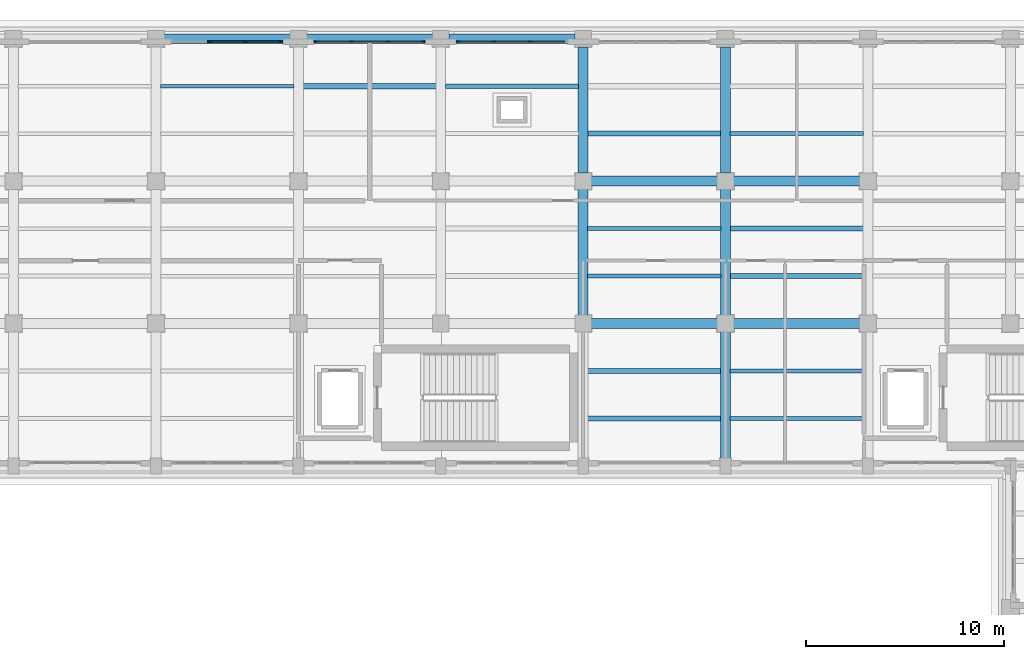
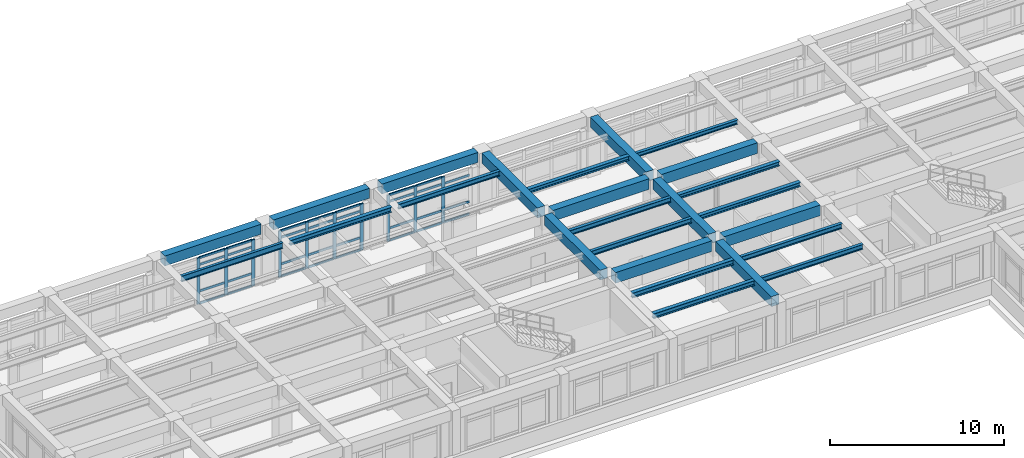
# One storey, part 26 of 69: 41 members, 25 beams, 3 elements without a shape of their own.
"""IFC4 building model written with IfcOpenShell, lengths in metres."""

import ifcopenshell
import ifcopenshell.guid

model = None  # the IFC model being written
_history = None  # IfcOwnerHistory: only IFC2X3 demands one
_inside = {}  # id of a spatial element -> (the spatial element, [elements in it])
_under = {}  # id of a project, library or spatial element -> (it, [spatial elements below it])
_declared = {}  # id of a project -> (the project, [libraries it declares])
_typed = {}  # id of a type object -> (the type object, [elements of that type])
_made_of = {}  # id of a material, layer set ... -> (it, [elements and type objects made of it])


def new_model(schema):
    """Start an empty IFC model of exactly this schema.

    Asked for "IFC4X3", IfcOpenShell would pick the latest addendum, in which some entities
    have other attributes; the version numbers below select the first issue.
    IFC2X3 requires an IfcOwnerHistory on every rooted entity: one is made here for all.
    """
    global model, _history
    if schema == "IFC4X3":
        model = ifcopenshell.file(schema_version=(4, 3, 0, 0))
    else:
        model = ifcopenshell.file(schema=schema)
    _inside.clear()
    _under.clear()
    _declared.clear()
    _typed.clear()
    _made_of.clear()
    _history = None
    if model.schema == "IFC2X3":
        org = make("IfcOrganization", Name="unknown")
        user = make(
            "IfcPersonAndOrganization",
            ThePerson=make("IfcPerson", FamilyName="unknown"),
            TheOrganization=org,
        )
        app = make(
            "IfcApplication",
            ApplicationDeveloper=org,
            Version="unknown",
            ApplicationFullName="unknown",
            ApplicationIdentifier="unknown",
        )
        _history = make(
            "IfcOwnerHistory",
            OwningUser=user,
            OwningApplication=app,
            ChangeAction="ADDED",
            CreationDate=0,
        )
    return model


def make(cls, **values):
    """One entity of the class cls with the attributes given. An attribute that is None is left unset."""
    return model.create_entity(
        cls, **{name: value for name, value in values.items() if value is not None}
    )


def rooted(cls, **values):
    """An entity with a GlobalId (a new one), such as an element, a storey or a relation."""
    return make(cls, GlobalId=ifcopenshell.guid.new(), OwnerHistory=_history, **values)


def si_unit(unit_type, name, prefix=None):
    """IfcSIUnit, for example si_unit("LENGTHUNIT", "METRE", prefix="MILLI")."""
    return make("IfcSIUnit", UnitType=unit_type, Prefix=prefix, Name=name)


def assignment(units):
    """IfcUnitAssignment: the units of a project."""
    return None if units is None else make("IfcUnitAssignment", Units=units)


def point(xyz):
    """IfcCartesianPoint."""
    return None if xyz is None else make("IfcCartesianPoint", Coordinates=xyz)


def direction(xyz):
    """IfcDirection."""
    return None if xyz is None else make("IfcDirection", DirectionRatios=xyz)


def frame(location, z_axis=None, x_axis=None):
    """IfcAxis2Placement3D, a coordinate frame: its origin and axes. An axis left out is left unset."""
    return make(
        "IfcAxis2Placement3D",
        Location=point(location),
        Axis=direction(z_axis),
        RefDirection=direction(x_axis),
    )


def frame_2d(location, x_axis=None):
    """IfcAxis2Placement2D, a coordinate frame in the plane: its origin and x axis."""
    return make(
        "IfcAxis2Placement2D", Location=point(location), RefDirection=direction(x_axis)
    )


def origin():
    """The frame at (0, 0, 0) with its axes left unset."""
    return frame((0.0, 0.0, 0.0))


def origin_2d():
    """The frame at (0, 0) in the plane with its x axis left unset."""
    return frame_2d((0.0, 0.0))


def place(relative_to, where):
    """IfcLocalPlacement: puts the frame where relative to a parent placement (None: the world)."""
    return make(
        "IfcLocalPlacement", PlacementRelTo=relative_to, RelativePlacement=where
    )


def context(
    kind, dimensions, precision=None, world=None, true_north=None, identifier=None
):
    """IfcGeometricRepresentationContext, for example the 3D "Model" context."""
    return make(
        "IfcGeometricRepresentationContext",
        ContextIdentifier=identifier,
        ContextType=kind,
        CoordinateSpaceDimension=dimensions,
        Precision=precision,
        WorldCoordinateSystem=world,
        TrueNorth=true_north,
    )


def subcontext(parent, identifier, kind, view, scale=None):
    """IfcGeometricRepresentationSubContext, for example "Body" below "Model"."""
    return make(
        "IfcGeometricRepresentationSubContext",
        ContextIdentifier=identifier,
        ContextType=kind,
        ParentContext=parent,
        TargetScale=scale,
        TargetView=view,
    )


def project(units=None, contexts=None):
    """IfcProject with its units and contexts."""
    return rooted(
        "IfcProject",
        Name="project",
        RepresentationContexts=contexts,
        UnitsInContext=assignment(units),
    )


def spatial(cls, under=None, at=None, **own):
    """A site, building, storey or space (cls), placed at a placement, below another one or the project."""
    s = rooted(cls, ObjectPlacement=at, **own)
    if under is not None:
        _under.setdefault(under.id(), (under, []))[1].append(s)
    return s


def profile(cls, at=None, kind="AREA", **sizes):
    """A parametric profile (cls). Its sizes go by their IFC names, for example OverallWidth=200.0."""
    return make(cls, ProfileType=kind, Position=at, **sizes)


def rectangle(**sizes):
    """IfcRectangleProfileDef."""
    return profile("IfcRectangleProfileDef", **sizes)


def i_section(**sizes):
    """IfcIShapeProfileDef."""
    return profile("IfcIShapeProfileDef", **sizes)


def extrude(swept, where, along, depth):
    """IfcExtrudedAreaSolid: the profile swept, set in the frame where, extruded along a direction by depth."""
    return make(
        "IfcExtrudedAreaSolid",
        SweptArea=swept,
        Position=where,
        ExtrudedDirection=direction(along),
        Depth=depth,
    )


def shape(context_of_items, identifier, shape_type, items):
    """IfcShapeRepresentation: the items that make up one representation, for example the "Body"."""
    return make(
        "IfcShapeRepresentation",
        ContextOfItems=context_of_items,
        RepresentationIdentifier=identifier,
        RepresentationType=shape_type,
        Items=items,
    )


def material(Name=None, Category=None):
    """IfcMaterial."""
    return make("IfcMaterial", Name=Name, Category=Category)


def layer(
    of_material, thickness, ventilated=None, Name=None, Category=None, Priority=None
):
    """IfcMaterialLayer: one layer of a wall or slab, of a material (None: an air gap)."""
    return make(
        "IfcMaterialLayer",
        Material=of_material,
        LayerThickness=thickness,
        IsVentilated=ventilated,
        Name=Name,
        Category=Category,
        Priority=Priority,
    )


def layer_set(layers, Name=None):
    """IfcMaterialLayerSet."""
    return make("IfcMaterialLayerSet", MaterialLayers=layers, LayerSetName=Name)


def material_profile(
    of_material, cross_section, Name=None, Category=None, Priority=None
):
    """IfcMaterialProfile: a cross section and its material."""
    return make(
        "IfcMaterialProfile",
        Name=Name,
        Material=of_material,
        Profile=cross_section,
        Priority=Priority,
        Category=Category,
    )


def profile_set(profiles, Name=None, composite=None):
    """IfcMaterialProfileSet."""
    return make(
        "IfcMaterialProfileSet",
        Name=Name,
        MaterialProfiles=profiles,
        CompositeProfile=composite,
    )


def made_of(thing, what):
    """Note that an element or type object is made of a material, layer set ...; save() writes the relation."""
    if what is not None:
        _made_of.setdefault(what.id(), (what, []))[1].append(thing)
    return thing


def type_object(cls, material=None, **own):
    """A type object (cls), such as IfcWallType, which elements share."""
    return made_of(rooted(cls, **own), material)


def element(
    cls,
    number,
    at=None,
    inside=None,
    cuts=None,
    type_object=None,
    material=None,
    context=None,
    identifier="Body",
    shape_type=None,
    held_by="IfcProductDefinitionShape",
    body=None,
    shapes=None,
    **own,
):
    """One element of the class cls, such as IfcWall. Its Tag is "e" and its number.

    at: its placement. inside: the storey or other place that contains it. cuts: it is an
    opening in that element (IfcRelVoidsElement). A single representation is given by context,
    identifier, shape_type and body (its items); several are given by shapes. held_by: the class
    of the entity that holds the representations. save() writes the other relations.
    """
    e = rooted(cls, Tag="e%d" % number, ObjectPlacement=at, **own)
    if body is not None:
        shapes = [shape(context, identifier, shape_type, body)]
    if shapes is not None:
        e.Representation = make(held_by, Representations=shapes)
    if inside is not None:
        _inside.setdefault(inside.id(), (inside, []))[1].append(e)
    if cuts is not None:
        rooted(
            "IfcRelVoidsElement", RelatingBuildingElement=cuts, RelatedOpeningElement=e
        )
    if type_object is not None:
        _typed.setdefault(type_object.id(), (type_object, []))[1].append(e)
    return made_of(e, material)


def aggregate(whole, parts):
    """IfcRelAggregates: a whole, such as a stair, and the parts it consists of."""
    return rooted("IfcRelAggregates", RelatingObject=whole, RelatedObjects=parts)


def save(model, path):
    """Write the relations noted so far, then the file.

    IfcRelAggregates (storeys below a building ...), IfcRelContainedInSpatialStructure (elements
    in a storey), IfcRelDefinesByType, IfcRelAssociatesMaterial and IfcRelDeclares: one each for
    every whole, place, type object, material and project.
    """
    for whole, parts in _under.values():
        aggregate(whole, parts)
    for where, things in _inside.values():
        rooted(
            "IfcRelContainedInSpatialStructure",
            RelatedElements=things,
            RelatingStructure=where,
        )
    for kind, things in _typed.values():
        rooted("IfcRelDefinesByType", RelatedObjects=things, RelatingType=kind)
    for what, things in _made_of.values():
        rooted("IfcRelAssociatesMaterial", RelatedObjects=things, RelatingMaterial=what)
    for by, libraries in _declared.values():
        rooted("IfcRelDeclares", RelatingContext=by, RelatedDefinitions=libraries)
    model.write(path)


model = new_model("IFC4")

# Units and contexts
model_context = context("Model", 3, precision=1e-05, world=origin(), true_north=direction((0.0, 1.0)))
body_context = subcontext(model_context, "Body", "Model", "MODEL_VIEW")
ifc_project = project(units=[si_unit("LENGTHUNIT", "METRE"), si_unit("AREAUNIT", "SQUARE_METRE"), si_unit("VOLUMEUNIT", "CUBIC_METRE"), si_unit("PLANEANGLEUNIT", "RADIAN"), si_unit("MASSUNIT", "GRAM", prefix="KILO")], contexts=[model_context])

# Site, building, storey
site_placement = place(None, origin())
site = spatial("IfcSite", under=ifc_project, at=site_placement, CompositionType="ELEMENT")
building_placement = place(site_placement, origin())
building = spatial("IfcBuilding", under=site, at=building_placement, Name="Solenvale Faculty of Natural Sciences", CompositionType="ELEMENT")
storey_placement = place(building_placement, frame((0.0, 0.0, 4.5)))
storey = spatial("IfcBuildingStorey", under=building, at=storey_placement, Name="L01", CompositionType="ELEMENT", Elevation=4.5)

# Beams
ifc_material_1 = material(Name="Concrete 40 MPa", Category="concrete")
ifc_material_profile_1 = material_profile(ifc_material_1, rectangle(XDim=0.5, YDim=0.699951171875, at=origin_2d()), Name="RC-BM-500x700")
ifc_profile_set_1 = profile_set([ifc_material_profile_1], Name="Concrete 40 MPa")
beam_type_1 = type_object("IfcBeamType", Name="BM-RC-500x700", PredefinedType="BEAM", material=ifc_profile_set_1)
for number, where, z_axis, x_axis, name in (
    (1, (115.199951171875, 101.205078125, 3.8701171875), (0.0, 1.0, 0.0), (-1.0, 0.0, 0.0), "L01 Y-Girder X115.2 (100.8..108.0)"),
    (2, (115.199951171875, 108.405029296875, 3.8701171875), (0.0, 1.0, 0.0), (-1.0, 0.0, 0.0), "L01 Y-Girder X115.2 (108.0..115.2)"),
):
    element("IfcBeam", number, at=place(storey_placement, frame(where, z_axis=z_axis, x_axis=x_axis)), inside=storey, type_object=beam_type_1, Name=name, PredefinedType="BEAM", context=body_context, shape_type="SweptSolid", body=[
        extrude(rectangle(XDim=0.5, YDim=0.699951171875, at=origin_2d()), origin(), (0.0, 0.0, 1.0), 6.389892578125),
    ])
beam_1_placement = place(storey_placement, frame((122.39990234375, 93.97998046875, 3.8701171875), z_axis=(0.0, 1.0, 0.0), x_axis=(-1.0, 0.0, 0.0)))
element("IfcBeam", 3, at=beam_1_placement, inside=storey, type_object=beam_type_1, Name="L01 Y-Girder X122.4 (93.6..100.8)", PredefinedType="BEAM", context=body_context, shape_type="SweptSolid", body=[
    extrude(rectangle(XDim=0.5, YDim=0.699951171875, at=origin_2d()), origin(), (0.0, 0.0, 1.0), 6.4150390625),
])
for number, where, z_axis, x_axis, name in (
    (4, (122.39990234375, 101.205078125, 3.8701171875), (0.0, 1.0, 0.0), (-1.0, 0.0, 0.0), "L01 Y-Girder X122.4 (100.8..108.0)"),
    (5, (122.39990234375, 108.405029296875, 3.8701171875), (0.0, 1.0, 0.0), (-1.0, 0.0, 0.0), "L01 Y-Girder X122.4 (108.0..115.2)"),
):
    element("IfcBeam", number, at=place(storey_placement, frame(where, z_axis=z_axis, x_axis=x_axis)), inside=storey, type_object=beam_type_1, Name=name, PredefinedType="BEAM", context=body_context, shape_type="SweptSolid", body=[
        extrude(rectangle(XDim=0.5, YDim=0.699951171875, at=origin_2d()), origin(), (0.0, 0.0, 1.0), 6.389892578125),
    ])
ifc_material_profile_2 = material_profile(ifc_material_1, rectangle(XDim=0.5, YDim=0.75, at=origin_2d()), Name="RC-BM-500x750")
ifc_profile_set_2 = profile_set([ifc_material_profile_2], Name="Concrete 40 MPa")
beam_type_2 = type_object("IfcBeamType", Name="BM-RC-500x750", PredefinedType="BEAM", material=ifc_profile_set_2)
for number, where, z_axis, x_axis, name in (
    (6, (115.60498046875, 100.800048828125, 3.844970703125), (1.0, 0.0, 0.0), (0.0, 1.0, 0.0), "L01 X-Girder Y100.8 (115.2..122.4)"),
    (7, (122.804931640625, 100.800048828125, 3.844970703125), (1.0, 0.0, 0.0), (0.0, 1.0, 0.0), "L01 X-Girder Y100.8 (122.4..129.6)"),
    (8, (115.60498046875, 108.0, 3.844970703125), (1.0, 0.0, 0.0), (0.0, 1.0, 0.0), "L01 X-Girder Y108.0 (115.2..122.4)"),
    (9, (122.804931640625, 108.0, 3.844970703125), (1.0, 0.0, 0.0), (0.0, 1.0, 0.0), "L01 X-Girder Y108.0 (122.4..129.6)"),
):
    element("IfcBeam", number, at=place(storey_placement, frame(where, z_axis=z_axis, x_axis=x_axis)), inside=storey, type_object=beam_type_2, Name=name, PredefinedType="BEAM", context=body_context, shape_type="SweptSolid", body=[
        extrude(rectangle(XDim=0.5, YDim=0.75, at=origin_2d()), origin(), (0.0, 0.0, 1.0), 6.39013671875),
    ])
ifc_material_2 = material(Name="Precast concrete 40 MPa", Category="concrete")
ifc_material_profile_3 = material_profile(ifc_material_2, rectangle(XDim=0.5, YDim=0.699951171875, at=origin_2d()), Name="RC-BM-500x700")
ifc_profile_set_3 = profile_set([ifc_material_profile_3], Name="Precast concrete 40 MPa")
beam_type_3 = type_object("IfcBeamType", Name="BM-SPN-PRC-700", PredefinedType="SPANDREL", material=ifc_profile_set_3)
beam_2_placement = place(storey_placement, frame((94.0048828125, 115.199951171875, 3.8701171875), z_axis=(1.0, 0.0, 0.0), x_axis=(0.0, 1.0, 0.0)))
element("IfcBeam", 10, at=beam_2_placement, inside=storey, type_object=beam_type_3, Name="L01 X-Girder Y115.2 (93.6..100.8)", PredefinedType="SPANDREL", context=body_context, shape_type="SweptSolid", body=[
    extrude(rectangle(XDim=0.5, YDim=0.699951171875, at=origin_2d()), origin(), (0.0, 0.0, 1.0), 6.39013671875),
])
for number, where, z_axis, x_axis, name in (
    (11, (101.205078125, 115.199951171875, 3.8701171875), (1.0, 0.0, 0.0), (0.0, 1.0, 0.0), "L01 X-Girder Y115.2 (100.8..108.0)"),
    (12, (108.405029296875, 115.199951171875, 3.8701171875), (1.0, 0.0, 0.0), (0.0, 1.0, 0.0), "L01 X-Girder Y115.2 (108.0..115.2)"),
):
    element("IfcBeam", number, at=place(storey_placement, frame(where, z_axis=z_axis, x_axis=x_axis)), inside=storey, type_object=beam_type_3, Name=name, PredefinedType="SPANDREL", context=body_context, shape_type="SweptSolid", body=[
        extrude(rectangle(XDim=0.5, YDim=0.699951171875, at=origin_2d()), origin(), (0.0, 0.0, 1.0), 6.389892578125),
    ])
ifc_material_3 = material(Name="Steel S355", Category="steel")
ifc_material_profile_4 = material_profile(ifc_material_3, i_section(OverallWidth=0.202880859375, OverallDepth=0.302978515625, WebThickness=0.007568359375, FlangeThickness=0.01318359375, FilletRadius=0.014892578125, at=origin_2d()), Name="W310x60")
ifc_profile_set_4 = profile_set([ifc_material_profile_4], Name="Steel S355")
beam_type_4 = type_object("IfcBeamType", Name="BM-STL-W310x60", PredefinedType="JOIST", material=ifc_profile_set_4)
beam_3_placement = place(storey_placement, frame((122.6298828125, 110.39990234375, 4.068603515625), z_axis=(1.0, 0.0, 0.0), x_axis=(0.0, 1.0, 0.0)))
element("IfcBeam", 13, at=beam_3_placement, inside=storey, type_object=beam_type_4, Name="L01 Composite Floor Joist (18,16).1", PredefinedType="JOIST", context=body_context, shape_type="SweptSolid", body=[
    extrude(i_section(OverallWidth=0.202880859375, OverallDepth=0.302978515625, WebThickness=0.007568359375, FlangeThickness=0.01318359375, FilletRadius=0.014892578125, at=origin_2d()), origin(), (0.0, 0.0, 1.0), 6.740234375),
])
ifc_material_profile_5 = material_profile(ifc_material_3, i_section(OverallWidth=0.25390625, OverallDepth=0.305908203125, WebThickness=0.0087890625, FlangeThickness=0.0146484375, FilletRadius=0.014892578125, at=origin_2d()), Name="W310x79")
ifc_profile_set_5 = profile_set([ifc_material_profile_5], Name="Steel S355")
beam_type_5 = type_object("IfcBeamType", Name="BM-STL-W310x79", PredefinedType="JOIST", material=ifc_profile_set_5)
beam_4_placement = place(storey_placement, frame((115.429931640625, 110.39990234375, 4.06689453125), z_axis=(1.0, 0.0, 0.0), x_axis=(0.0, 1.0, 0.0)))
element("IfcBeam", 14, at=beam_4_placement, inside=storey, type_object=beam_type_5, Name="L01 Composite Floor Joist (17,16).1", PredefinedType="JOIST", context=body_context, shape_type="SweptSolid", body=[
    extrude(i_section(OverallWidth=0.25390625, OverallDepth=0.305908203125, WebThickness=0.0087890625, FlangeThickness=0.0146484375, FilletRadius=0.014892578125, at=origin_2d()), origin(), (0.0, 0.0, 1.0), 6.739990234375),
])
for number, where, z_axis, x_axis, name in (
    (15, (122.6298828125, 103.199951171875, 4.06689453125), (1.0, 0.0, 0.0), (0.0, 1.0, 0.0), "L01 Composite Floor Joist (18,15).1"),
    (16, (122.6298828125, 105.60009765625, 4.06689453125), (1.0, 0.0, 0.0), (0.0, 1.0, 0.0), "L01 Composite Floor Joist (18,15).2"),
):
    element("IfcBeam", number, at=place(storey_placement, frame(where, z_axis=z_axis, x_axis=x_axis)), inside=storey, type_object=beam_type_5, Name=name, PredefinedType="JOIST", context=body_context, shape_type="SweptSolid", body=[
        extrude(i_section(OverallWidth=0.25390625, OverallDepth=0.305908203125, WebThickness=0.0087890625, FlangeThickness=0.0146484375, FilletRadius=0.014892578125, at=origin_2d()), origin(), (0.0, 0.0, 1.0), 6.740234375),
    ])
ifc_material_profile_6 = material_profile(ifc_material_3, i_section(OverallWidth=0.2548828125, OverallDepth=0.35693359375, WebThickness=0.010498046875, FlangeThickness=0.018310546875, FilletRadius=0.014892578125, at=origin_2d()), Name="W360x101")
ifc_profile_set_6 = profile_set([ifc_material_profile_6], Name="Steel S355")
beam_type_6 = type_object("IfcBeamType", Name="BM-STL-W360x101", PredefinedType="JOIST", material=ifc_profile_set_6)
for number, where, z_axis, x_axis, name in (
    (17, (101.030029296875, 112.800048828125, 4.04150390625), (1.0, 0.0, 0.0), (0.0, 1.0, 0.0), "L01 Composite Floor Joist (15,16).2"),
    (18, (115.429931640625, 96.0, 4.04150390625), (1.0, 0.0, 0.0), (0.0, 1.0, 0.0), "L01 Composite Floor Joist (17,14).1"),
    (19, (115.429931640625, 98.39990234375, 4.04150390625), (1.0, 0.0, 0.0), (0.0, 1.0, 0.0), "L01 Composite Floor Joist (17,14).2"),
):
    element("IfcBeam", number, at=place(storey_placement, frame(where, z_axis=z_axis, x_axis=x_axis)), inside=storey, type_object=beam_type_6, Name=name, PredefinedType="JOIST", context=body_context, shape_type="SweptSolid", body=[
        extrude(i_section(OverallWidth=0.2548828125, OverallDepth=0.35693359375, WebThickness=0.010498046875, FlangeThickness=0.018310546875, FilletRadius=0.014892578125, at=origin_2d()), origin(), (0.0, 0.0, 1.0), 6.739990234375),
    ])
ifc_material_profile_7 = material_profile(ifc_material_3, i_section(OverallWidth=0.2041015625, OverallDepth=0.35009765625, WebThickness=0.008544921875, FlangeThickness=0.01513671875, FilletRadius=0.014892578125, at=origin_2d()), Name="W360x72")
ifc_profile_set_7 = profile_set([ifc_material_profile_7], Name="Steel S355")
beam_type_7 = type_object("IfcBeamType", Name="BM-STL-W360x72", PredefinedType="JOIST", material=ifc_profile_set_7)
for number, where, z_axis, x_axis, name in (
    (20, (108.22998046875, 112.800048828125, 4.044921875), (1.0, 0.0, 0.0), (0.0, 1.0, 0.0), "L01 Composite Floor Joist (16,16).2"),
    (21, (115.429931640625, 103.199951171875, 4.044921875), (1.0, 0.0, 0.0), (0.0, 1.0, 0.0), "L01 Composite Floor Joist (17,15).1"),
    (22, (115.429931640625, 105.60009765625, 4.044921875), (1.0, 0.0, 0.0), (0.0, 1.0, 0.0), "L01 Composite Floor Joist (17,15).2"),
):
    element("IfcBeam", number, at=place(storey_placement, frame(where, z_axis=z_axis, x_axis=x_axis)), inside=storey, type_object=beam_type_7, Name=name, PredefinedType="JOIST", context=body_context, shape_type="SweptSolid", body=[
        extrude(i_section(OverallWidth=0.2041015625, OverallDepth=0.35009765625, WebThickness=0.008544921875, FlangeThickness=0.01513671875, FilletRadius=0.014892578125, at=origin_2d()), origin(), (0.0, 0.0, 1.0), 6.739990234375),
    ])
for number, where, z_axis, x_axis, name in (
    (23, (122.6298828125, 96.0, 4.044921875), (1.0, 0.0, 0.0), (0.0, 1.0, 0.0), "L01 Composite Floor Joist (18,14).1"),
    (24, (122.6298828125, 98.39990234375, 4.044921875), (1.0, 0.0, 0.0), (0.0, 1.0, 0.0), "L01 Composite Floor Joist (18,14).2"),
):
    element("IfcBeam", number, at=place(storey_placement, frame(where, z_axis=z_axis, x_axis=x_axis)), inside=storey, type_object=beam_type_7, Name=name, PredefinedType="JOIST", context=body_context, shape_type="SweptSolid", body=[
        extrude(i_section(OverallWidth=0.2041015625, OverallDepth=0.35009765625, WebThickness=0.008544921875, FlangeThickness=0.01513671875, FilletRadius=0.014892578125, at=origin_2d()), origin(), (0.0, 0.0, 1.0), 6.740234375),
    ])
ifc_material_profile_8 = material_profile(ifc_material_3, i_section(OverallWidth=0.178955078125, OverallDepth=0.409912109375, WebThickness=0.0087890625, FlangeThickness=0.014404296875, FilletRadius=0.01611328125, at=origin_2d()), Name="W410x67")
ifc_profile_set_8 = profile_set([ifc_material_profile_8], Name="Steel S355")
beam_type_8 = type_object("IfcBeamType", Name="BM-STL-W410x67", PredefinedType="JOIST", material=ifc_profile_set_8)
beam_5_placement = place(storey_placement, frame((93.830078125, 112.800048828125, 4.014892578125), z_axis=(1.0, 0.0, 0.0), x_axis=(0.0, 1.0, 0.0)))
element("IfcBeam", 25, at=beam_5_placement, inside=storey, type_object=beam_type_8, Name="L01 Composite Floor Joist (14,16).2", PredefinedType="JOIST", context=body_context, shape_type="SweptSolid", body=[
    extrude(i_section(OverallWidth=0.178955078125, OverallDepth=0.409912109375, WebThickness=0.0087890625, FlangeThickness=0.014404296875, FilletRadius=0.01611328125, at=origin_2d()), origin(), (0.0, 0.0, 1.0), 6.739990234375),
])

# Curtain wall, members
ifc_material_4 = material(Name="Anodised bronze aluminium", Category="aluminium")
ifc_layer = layer(ifc_material_4, 0.179931640625)
ifc_layer_set = layer_set([ifc_layer], Name="Anodised bronze aluminium")
curtain_wall_type = type_object("IfcCurtainWallType", Name="CW-TWR-MOD", PredefinedType="USERDEFINED", material=ifc_layer_set)
curtain_wall_1_placement = place(storey_placement, origin())
curtain_wall_1 = element("IfcCurtainWall", 26, at=curtain_wall_1_placement, inside=storey, type_object=curtain_wall_type, Name="L01 Curtain Wall CW-L01-P2-E4-B6", ObjectType="UNITISED CURTAIN WALL", PredefinedType="USERDEFINED")
ifc_material_profile_9 = material_profile(ifc_material_4, rectangle(XDim=0.074951171875, YDim=0.2099609375, at=origin_2d()), Name="ALU-MUL-75x210")
ifc_profile_set_9 = profile_set([ifc_material_profile_9], Name="Anodised bronze aluminium")
member_type_1 = type_object("IfcMemberType", Name="CWM-ALU-75x210", PredefinedType="MULLION", material=ifc_profile_set_9)
member_1_placement = place(storey_placement, frame((112.5166015625, 115.0576171875, 0.0), z_axis=(0.0, 0.0, 1.0), x_axis=(0.0, -1.0, 0.0)))
member_1 = element("IfcMember", 27, at=member_1_placement, type_object=member_type_1, Name="CW-04 mullion 2", PredefinedType="MULLION", context=body_context, shape_type="SweptSolid", body=[
    extrude(rectangle(XDim=0.074951171875, YDim=0.2099609375, at=origin_2d()), origin(), (0.0, 0.0, 1.0), 3.260009765625),
])
member_2_placement = place(storey_placement, frame((110.683349609375, 115.0576171875, 0.0), z_axis=(0.0, 0.0, 1.0), x_axis=(0.0, -1.0, 0.0)))
member_2 = element("IfcMember", 28, at=member_2_placement, type_object=member_type_1, Name="CW-04 mullion 3", PredefinedType="MULLION", context=body_context, shape_type="SweptSolid", body=[
    extrude(rectangle(XDim=0.074951171875, YDim=0.2099609375, at=origin_2d()), origin(), (0.0, 0.0, 1.0), 3.260009765625),
])
member_3_placement = place(storey_placement, frame((108.887451171875, 115.0576171875, 0.0), z_axis=(0.0, 0.0, 1.0), x_axis=(0.0, -1.0, 0.0)))
member_3 = element("IfcMember", 29, at=member_3_placement, type_object=member_type_1, Name="CW-04 mullion 4", PredefinedType="MULLION", context=body_context, shape_type="SweptSolid", body=[
    extrude(rectangle(XDim=0.074951171875, YDim=0.2099609375, at=origin_2d()), origin(), (0.0, 0.0, 1.0), 3.260009765625),
])

curtain_wall_2_placement = place(storey_placement, origin())
curtain_wall_2 = element("IfcCurtainWall", 30, at=curtain_wall_2_placement, inside=storey, type_object=curtain_wall_type, Name="L01 Curtain Wall CW-L01-P2-E4-B7", ObjectType="UNITISED CURTAIN WALL", PredefinedType="USERDEFINED")
member_4_placement = place(storey_placement, frame((107.112548828125, 115.0576171875, 0.0), z_axis=(0.0, 0.0, 1.0), x_axis=(0.0, -1.0, 0.0)))
member_4 = element("IfcMember", 31, at=member_4_placement, type_object=member_type_1, Name="CW-04 mullion 1", PredefinedType="MULLION", context=body_context, shape_type="SweptSolid", body=[
    extrude(rectangle(XDim=0.074951171875, YDim=0.2099609375, at=origin_2d()), origin(), (0.0, 0.0, 1.0), 3.260009765625),
])
member_5_placement = place(storey_placement, frame((105.316650390625, 115.0576171875, 0.0), z_axis=(0.0, 0.0, 1.0), x_axis=(0.0, -1.0, 0.0)))
member_5 = element("IfcMember", 32, at=member_5_placement, type_object=member_type_1, Name="CW-04 mullion 2", PredefinedType="MULLION", context=body_context, shape_type="SweptSolid", body=[
    extrude(rectangle(XDim=0.074951171875, YDim=0.2099609375, at=origin_2d()), origin(), (0.0, 0.0, 1.0), 3.260009765625),
])
member_6_placement = place(storey_placement, frame((103.4833984375, 115.0576171875, 0.0), z_axis=(0.0, 0.0, 1.0), x_axis=(0.0, -1.0, 0.0)))
member_6 = element("IfcMember", 33, at=member_6_placement, type_object=member_type_1, Name="CW-04 mullion 3", PredefinedType="MULLION", context=body_context, shape_type="SweptSolid", body=[
    extrude(rectangle(XDim=0.074951171875, YDim=0.2099609375, at=origin_2d()), origin(), (0.0, 0.0, 1.0), 3.260009765625),
])
member_7_placement = place(storey_placement, frame((101.6875, 115.0576171875, 0.0), z_axis=(0.0, 0.0, 1.0), x_axis=(0.0, -1.0, 0.0)))
member_7 = element("IfcMember", 34, at=member_7_placement, type_object=member_type_1, Name="CW-04 mullion 4", PredefinedType="MULLION", context=body_context, shape_type="SweptSolid", body=[
    extrude(rectangle(XDim=0.074951171875, YDim=0.2099609375, at=origin_2d()), origin(), (0.0, 0.0, 1.0), 3.260009765625),
])

curtain_wall_3_placement = place(storey_placement, origin())
curtain_wall_3 = element("IfcCurtainWall", 35, at=curtain_wall_3_placement, inside=storey, type_object=curtain_wall_type, Name="L01 Curtain Wall CW-L01-P2-E4-B8", ObjectType="UNITISED CURTAIN WALL", PredefinedType="USERDEFINED")
member_8_placement = place(storey_placement, frame((99.91259765625, 115.0576171875, 0.0), z_axis=(0.0, 0.0, 1.0), x_axis=(0.0, -1.0, 0.0)))
member_8 = element("IfcMember", 36, at=member_8_placement, type_object=member_type_1, Name="CW-04 mullion 1", PredefinedType="MULLION", context=body_context, shape_type="SweptSolid", body=[
    extrude(rectangle(XDim=0.074951171875, YDim=0.2099609375, at=origin_2d()), origin(), (0.0, 0.0, 1.0), 3.260009765625),
])
member_9_placement = place(storey_placement, frame((98.11669921875, 115.0576171875, 0.0), z_axis=(0.0, 0.0, 1.0), x_axis=(0.0, -1.0, 0.0)))
member_9 = element("IfcMember", 37, at=member_9_placement, type_object=member_type_1, Name="CW-04 mullion 2", PredefinedType="MULLION", context=body_context, shape_type="SweptSolid", body=[
    extrude(rectangle(XDim=0.074951171875, YDim=0.2099609375, at=origin_2d()), origin(), (0.0, 0.0, 1.0), 3.260009765625),
])
member_10_placement = place(storey_placement, frame((96.283447265625, 115.0576171875, 0.0), z_axis=(0.0, 0.0, 1.0), x_axis=(0.0, -1.0, 0.0)))
member_10 = element("IfcMember", 38, at=member_10_placement, type_object=member_type_1, Name="CW-04 mullion 3", PredefinedType="MULLION", context=body_context, shape_type="SweptSolid", body=[
    extrude(rectangle(XDim=0.074951171875, YDim=0.2099609375, at=origin_2d()), origin(), (0.0, 0.0, 1.0), 3.260009765625),
])

# Member
ifc_material_profile_10 = material_profile(ifc_material_4, rectangle(XDim=0.074951171875, YDim=0.155029296875, at=origin_2d()), Name="ALU-TRN-75x155")
ifc_profile_set_10 = profile_set([ifc_material_profile_10], Name="Anodised bronze aluminium")
member_type_2 = type_object("IfcMemberType", Name="CWT-ALU-75x155", PredefinedType="USERDEFINED", material=ifc_profile_set_10)
member_11_placement = place(storey_placement, frame((114.27490234375, 115.0576171875, 0.03759765625), z_axis=(-1.0, 0.0, 0.0), x_axis=(0.0, -1.0, 0.0)))
member_11 = element("IfcMember", 39, at=member_11_placement, type_object=member_type_2, Name="CW-04 transom 1.1", ObjectType="TRANSOM", PredefinedType="USERDEFINED", context=body_context, shape_type="SweptSolid", body=[
    extrude(rectangle(XDim=0.074951171875, YDim=0.155029296875, at=origin_2d()), origin(), (0.0, 0.0, 1.0), 1.720703125),
])

member_12_placement = place(storey_placement, frame((114.27490234375, 115.0576171875, 0.89990234375), z_axis=(-1.0, 0.0, 0.0), x_axis=(0.0, -1.0, 0.0)))
member_12 = element("IfcMember", 40, at=member_12_placement, type_object=member_type_2, Name="CW-04 transom 1.2", ObjectType="TRANSOM", PredefinedType="USERDEFINED", context=body_context, shape_type="SweptSolid", body=[
    extrude(rectangle(XDim=0.074951171875, YDim=0.155029296875, at=origin_2d()), origin(), (0.0, 0.0, 1.0), 1.720703125),
])

member_13_placement = place(storey_placement, frame((114.27490234375, 115.0576171875, 2.760009765625), z_axis=(-1.0, 0.0, 0.0), x_axis=(0.0, -1.0, 0.0)))
member_13 = element("IfcMember", 41, at=member_13_placement, type_object=member_type_2, Name="CW-04 transom 1.3", ObjectType="TRANSOM", PredefinedType="USERDEFINED", context=body_context, shape_type="SweptSolid", body=[
    extrude(rectangle(XDim=0.074951171875, YDim=0.155029296875, at=origin_2d()), origin(), (0.0, 0.0, 1.0), 1.720703125),
])

member_14_placement = place(storey_placement, frame((112.479248046875, 115.0576171875, 0.03759765625), z_axis=(-1.0, 0.0, 0.0), x_axis=(0.0, -1.0, 0.0)))
member_14 = element("IfcMember", 42, at=member_14_placement, type_object=member_type_2, Name="CW-04 transom 2.1", ObjectType="TRANSOM", PredefinedType="USERDEFINED", context=body_context, shape_type="SweptSolid", body=[
    extrude(rectangle(XDim=0.074951171875, YDim=0.155029296875, at=origin_2d()), origin(), (0.0, 0.0, 1.0), 1.75830078125),
])

member_15_placement = place(storey_placement, frame((112.479248046875, 115.0576171875, 0.89990234375), z_axis=(-1.0, 0.0, 0.0), x_axis=(0.0, -1.0, 0.0)))
member_15 = element("IfcMember", 43, at=member_15_placement, type_object=member_type_2, Name="CW-04 transom 2.2", ObjectType="TRANSOM", PredefinedType="USERDEFINED", context=body_context, shape_type="SweptSolid", body=[
    extrude(rectangle(XDim=0.074951171875, YDim=0.155029296875, at=origin_2d()), origin(), (0.0, 0.0, 1.0), 1.75830078125),
])

member_16_placement = place(storey_placement, frame((112.479248046875, 115.0576171875, 2.760009765625), z_axis=(-1.0, 0.0, 0.0), x_axis=(0.0, -1.0, 0.0)))
member_16 = element("IfcMember", 44, at=member_16_placement, type_object=member_type_2, Name="CW-04 transom 2.3", ObjectType="TRANSOM", PredefinedType="USERDEFINED", context=body_context, shape_type="SweptSolid", body=[
    extrude(rectangle(XDim=0.074951171875, YDim=0.155029296875, at=origin_2d()), origin(), (0.0, 0.0, 1.0), 1.75830078125),
])

member_17_placement = place(storey_placement, frame((112.479248046875, 115.0576171875, 3.222412109375), z_axis=(-1.0, 0.0, 0.0), x_axis=(0.0, -1.0, 0.0)))
member_17 = element("IfcMember", 45, at=member_17_placement, type_object=member_type_2, Name="CW-04 transom 2.4", ObjectType="TRANSOM", PredefinedType="USERDEFINED", context=body_context, shape_type="SweptSolid", body=[
    extrude(rectangle(XDim=0.074951171875, YDim=0.155029296875, at=origin_2d()), origin(), (0.0, 0.0, 1.0), 1.75830078125),
])

member_18_placement = place(storey_placement, frame((110.645751953125, 115.0576171875, 0.03759765625), z_axis=(-1.0, 0.0, 0.0), x_axis=(0.0, -1.0, 0.0)))
member_18 = element("IfcMember", 46, at=member_18_placement, type_object=member_type_2, Name="CW-04 transom 3.1", ObjectType="TRANSOM", PredefinedType="USERDEFINED", context=body_context, shape_type="SweptSolid", body=[
    extrude(rectangle(XDim=0.074951171875, YDim=0.155029296875, at=origin_2d()), origin(), (0.0, 0.0, 1.0), 1.720703125),
])

member_19_placement = place(storey_placement, frame((110.645751953125, 115.0576171875, 0.89990234375), z_axis=(-1.0, 0.0, 0.0), x_axis=(0.0, -1.0, 0.0)))
member_19 = element("IfcMember", 47, at=member_19_placement, type_object=member_type_2, Name="CW-04 transom 3.2", ObjectType="TRANSOM", PredefinedType="USERDEFINED", context=body_context, shape_type="SweptSolid", body=[
    extrude(rectangle(XDim=0.074951171875, YDim=0.155029296875, at=origin_2d()), origin(), (0.0, 0.0, 1.0), 1.720703125),
])

member_20_placement = place(storey_placement, frame((110.645751953125, 115.0576171875, 2.760009765625), z_axis=(-1.0, 0.0, 0.0), x_axis=(0.0, -1.0, 0.0)))
member_20 = element("IfcMember", 48, at=member_20_placement, type_object=member_type_2, Name="CW-04 transom 3.3", ObjectType="TRANSOM", PredefinedType="USERDEFINED", context=body_context, shape_type="SweptSolid", body=[
    extrude(rectangle(XDim=0.074951171875, YDim=0.155029296875, at=origin_2d()), origin(), (0.0, 0.0, 1.0), 1.720703125),
])

member_21_placement = place(storey_placement, frame((110.645751953125, 115.0576171875, 3.222412109375), z_axis=(-1.0, 0.0, 0.0), x_axis=(0.0, -1.0, 0.0)))
member_21 = element("IfcMember", 49, at=member_21_placement, type_object=member_type_2, Name="CW-04 transom 3.4", ObjectType="TRANSOM", PredefinedType="USERDEFINED", context=body_context, shape_type="SweptSolid", body=[
    extrude(rectangle(XDim=0.074951171875, YDim=0.155029296875, at=origin_2d()), origin(), (0.0, 0.0, 1.0), 1.720703125),
])

aggregate(curtain_wall_1, [member_1, member_2, member_3, member_11, member_12, member_13, member_14, member_15, member_16, member_17, member_18, member_19, member_20, member_21])

member_22_placement = place(storey_placement, frame((107.074951171875, 115.0576171875, 0.03759765625), z_axis=(-1.0, 0.0, 0.0), x_axis=(0.0, -1.0, 0.0)))
member_22 = element("IfcMember", 50, at=member_22_placement, type_object=member_type_2, Name="CW-04 transom 1.1", ObjectType="TRANSOM", PredefinedType="USERDEFINED", context=body_context, shape_type="SweptSolid", body=[
    extrude(rectangle(XDim=0.074951171875, YDim=0.155029296875, at=origin_2d()), origin(), (0.0, 0.0, 1.0), 1.720703125),
])

member_23_placement = place(storey_placement, frame((107.074951171875, 115.0576171875, 0.89990234375), z_axis=(-1.0, 0.0, 0.0), x_axis=(0.0, -1.0, 0.0)))
member_23 = element("IfcMember", 51, at=member_23_placement, type_object=member_type_2, Name="CW-04 transom 1.2", ObjectType="TRANSOM", PredefinedType="USERDEFINED", context=body_context, shape_type="SweptSolid", body=[
    extrude(rectangle(XDim=0.074951171875, YDim=0.155029296875, at=origin_2d()), origin(), (0.0, 0.0, 1.0), 1.720703125),
])

member_24_placement = place(storey_placement, frame((107.074951171875, 115.0576171875, 2.760009765625), z_axis=(-1.0, 0.0, 0.0), x_axis=(0.0, -1.0, 0.0)))
member_24 = element("IfcMember", 52, at=member_24_placement, type_object=member_type_2, Name="CW-04 transom 1.3", ObjectType="TRANSOM", PredefinedType="USERDEFINED", context=body_context, shape_type="SweptSolid", body=[
    extrude(rectangle(XDim=0.074951171875, YDim=0.155029296875, at=origin_2d()), origin(), (0.0, 0.0, 1.0), 1.720703125),
])

member_25_placement = place(storey_placement, frame((107.074951171875, 115.0576171875, 3.222412109375), z_axis=(-1.0, 0.0, 0.0), x_axis=(0.0, -1.0, 0.0)))
member_25 = element("IfcMember", 53, at=member_25_placement, type_object=member_type_2, Name="CW-04 transom 1.4", ObjectType="TRANSOM", PredefinedType="USERDEFINED", context=body_context, shape_type="SweptSolid", body=[
    extrude(rectangle(XDim=0.074951171875, YDim=0.155029296875, at=origin_2d()), origin(), (0.0, 0.0, 1.0), 1.720703125),
])

member_26_placement = place(storey_placement, frame((105.279052734375, 115.0576171875, 0.03759765625), z_axis=(-1.0, 0.0, 0.0), x_axis=(0.0, -1.0, 0.0)))
member_26 = element("IfcMember", 54, at=member_26_placement, type_object=member_type_2, Name="CW-04 transom 2.1", ObjectType="TRANSOM", PredefinedType="USERDEFINED", context=body_context, shape_type="SweptSolid", body=[
    extrude(rectangle(XDim=0.074951171875, YDim=0.155029296875, at=origin_2d()), origin(), (0.0, 0.0, 1.0), 1.75830078125),
])

member_27_placement = place(storey_placement, frame((105.279052734375, 115.0576171875, 0.89990234375), z_axis=(-1.0, 0.0, 0.0), x_axis=(0.0, -1.0, 0.0)))
member_27 = element("IfcMember", 55, at=member_27_placement, type_object=member_type_2, Name="CW-04 transom 2.2", ObjectType="TRANSOM", PredefinedType="USERDEFINED", context=body_context, shape_type="SweptSolid", body=[
    extrude(rectangle(XDim=0.074951171875, YDim=0.155029296875, at=origin_2d()), origin(), (0.0, 0.0, 1.0), 1.75830078125),
])

member_28_placement = place(storey_placement, frame((105.279052734375, 115.0576171875, 2.760009765625), z_axis=(-1.0, 0.0, 0.0), x_axis=(0.0, -1.0, 0.0)))
member_28 = element("IfcMember", 56, at=member_28_placement, type_object=member_type_2, Name="CW-04 transom 2.3", ObjectType="TRANSOM", PredefinedType="USERDEFINED", context=body_context, shape_type="SweptSolid", body=[
    extrude(rectangle(XDim=0.074951171875, YDim=0.155029296875, at=origin_2d()), origin(), (0.0, 0.0, 1.0), 1.75830078125),
])

member_29_placement = place(storey_placement, frame((105.279052734375, 115.0576171875, 3.222412109375), z_axis=(-1.0, 0.0, 0.0), x_axis=(0.0, -1.0, 0.0)))
member_29 = element("IfcMember", 57, at=member_29_placement, type_object=member_type_2, Name="CW-04 transom 2.4", ObjectType="TRANSOM", PredefinedType="USERDEFINED", context=body_context, shape_type="SweptSolid", body=[
    extrude(rectangle(XDim=0.074951171875, YDim=0.155029296875, at=origin_2d()), origin(), (0.0, 0.0, 1.0), 1.75830078125),
])

member_30_placement = place(storey_placement, frame((103.44580078125, 115.0576171875, 0.03759765625), z_axis=(-1.0, 0.0, 0.0), x_axis=(0.0, -1.0, 0.0)))
member_30 = element("IfcMember", 58, at=member_30_placement, type_object=member_type_2, Name="CW-04 transom 3.1", ObjectType="TRANSOM", PredefinedType="USERDEFINED", context=body_context, shape_type="SweptSolid", body=[
    extrude(rectangle(XDim=0.074951171875, YDim=0.155029296875, at=origin_2d()), origin(), (0.0, 0.0, 1.0), 1.720703125),
])

member_31_placement = place(storey_placement, frame((103.44580078125, 115.0576171875, 0.89990234375), z_axis=(-1.0, 0.0, 0.0), x_axis=(0.0, -1.0, 0.0)))
member_31 = element("IfcMember", 59, at=member_31_placement, type_object=member_type_2, Name="CW-04 transom 3.2", ObjectType="TRANSOM", PredefinedType="USERDEFINED", context=body_context, shape_type="SweptSolid", body=[
    extrude(rectangle(XDim=0.074951171875, YDim=0.155029296875, at=origin_2d()), origin(), (0.0, 0.0, 1.0), 1.720703125),
])

member_32_placement = place(storey_placement, frame((103.44580078125, 115.0576171875, 2.760009765625), z_axis=(-1.0, 0.0, 0.0), x_axis=(0.0, -1.0, 0.0)))
member_32 = element("IfcMember", 60, at=member_32_placement, type_object=member_type_2, Name="CW-04 transom 3.3", ObjectType="TRANSOM", PredefinedType="USERDEFINED", context=body_context, shape_type="SweptSolid", body=[
    extrude(rectangle(XDim=0.074951171875, YDim=0.155029296875, at=origin_2d()), origin(), (0.0, 0.0, 1.0), 1.720703125),
])

member_33_placement = place(storey_placement, frame((103.44580078125, 115.0576171875, 3.222412109375), z_axis=(-1.0, 0.0, 0.0), x_axis=(0.0, -1.0, 0.0)))
member_33 = element("IfcMember", 61, at=member_33_placement, type_object=member_type_2, Name="CW-04 transom 3.4", ObjectType="TRANSOM", PredefinedType="USERDEFINED", context=body_context, shape_type="SweptSolid", body=[
    extrude(rectangle(XDim=0.074951171875, YDim=0.155029296875, at=origin_2d()), origin(), (0.0, 0.0, 1.0), 1.720703125),
])

aggregate(curtain_wall_2, [member_4, member_5, member_6, member_7, member_22, member_23, member_24, member_25, member_26, member_27, member_28, member_29, member_30, member_31, member_32, member_33])

member_34_placement = place(storey_placement, frame((99.875, 115.0576171875, 0.03759765625), z_axis=(-1.0, 0.0, 0.0), x_axis=(0.0, -1.0, 0.0)))
member_34 = element("IfcMember", 62, at=member_34_placement, type_object=member_type_2, Name="CW-04 transom 1.1", ObjectType="TRANSOM", PredefinedType="USERDEFINED", context=body_context, shape_type="SweptSolid", body=[
    extrude(rectangle(XDim=0.074951171875, YDim=0.155029296875, at=origin_2d()), origin(), (0.0, 0.0, 1.0), 1.720947265625),
])

member_35_placement = place(storey_placement, frame((99.875, 115.0576171875, 0.89990234375), z_axis=(-1.0, 0.0, 0.0), x_axis=(0.0, -1.0, 0.0)))
member_35 = element("IfcMember", 63, at=member_35_placement, type_object=member_type_2, Name="CW-04 transom 1.2", ObjectType="TRANSOM", PredefinedType="USERDEFINED", context=body_context, shape_type="SweptSolid", body=[
    extrude(rectangle(XDim=0.074951171875, YDim=0.155029296875, at=origin_2d()), origin(), (0.0, 0.0, 1.0), 1.720947265625),
])

member_36_placement = place(storey_placement, frame((99.875, 115.0576171875, 2.760009765625), z_axis=(-1.0, 0.0, 0.0), x_axis=(0.0, -1.0, 0.0)))
member_36 = element("IfcMember", 64, at=member_36_placement, type_object=member_type_2, Name="CW-04 transom 1.3", ObjectType="TRANSOM", PredefinedType="USERDEFINED", context=body_context, shape_type="SweptSolid", body=[
    extrude(rectangle(XDim=0.074951171875, YDim=0.155029296875, at=origin_2d()), origin(), (0.0, 0.0, 1.0), 1.720947265625),
])

member_37_placement = place(storey_placement, frame((99.875, 115.0576171875, 3.222412109375), z_axis=(-1.0, 0.0, 0.0), x_axis=(0.0, -1.0, 0.0)))
member_37 = element("IfcMember", 65, at=member_37_placement, type_object=member_type_2, Name="CW-04 transom 1.4", ObjectType="TRANSOM", PredefinedType="USERDEFINED", context=body_context, shape_type="SweptSolid", body=[
    extrude(rectangle(XDim=0.074951171875, YDim=0.155029296875, at=origin_2d()), origin(), (0.0, 0.0, 1.0), 1.720947265625),
])

member_38_placement = place(storey_placement, frame((98.0791015625, 115.0576171875, 0.03759765625), z_axis=(-1.0, 0.0, 0.0), x_axis=(0.0, -1.0, 0.0)))
member_38 = element("IfcMember", 66, at=member_38_placement, type_object=member_type_2, Name="CW-04 transom 2.1", ObjectType="TRANSOM", PredefinedType="USERDEFINED", context=body_context, shape_type="SweptSolid", body=[
    extrude(rectangle(XDim=0.074951171875, YDim=0.155029296875, at=origin_2d()), origin(), (0.0, 0.0, 1.0), 1.75830078125),
])

member_39_placement = place(storey_placement, frame((98.0791015625, 115.0576171875, 0.89990234375), z_axis=(-1.0, 0.0, 0.0), x_axis=(0.0, -1.0, 0.0)))
member_39 = element("IfcMember", 67, at=member_39_placement, type_object=member_type_2, Name="CW-04 transom 2.2", ObjectType="TRANSOM", PredefinedType="USERDEFINED", context=body_context, shape_type="SweptSolid", body=[
    extrude(rectangle(XDim=0.074951171875, YDim=0.155029296875, at=origin_2d()), origin(), (0.0, 0.0, 1.0), 1.75830078125),
])

member_40_placement = place(storey_placement, frame((98.0791015625, 115.0576171875, 2.760009765625), z_axis=(-1.0, 0.0, 0.0), x_axis=(0.0, -1.0, 0.0)))
member_40 = element("IfcMember", 68, at=member_40_placement, type_object=member_type_2, Name="CW-04 transom 2.3", ObjectType="TRANSOM", PredefinedType="USERDEFINED", context=body_context, shape_type="SweptSolid", body=[
    extrude(rectangle(XDim=0.074951171875, YDim=0.155029296875, at=origin_2d()), origin(), (0.0, 0.0, 1.0), 1.75830078125),
])

member_41_placement = place(storey_placement, frame((98.0791015625, 115.0576171875, 3.222412109375), z_axis=(-1.0, 0.0, 0.0), x_axis=(0.0, -1.0, 0.0)))
member_41 = element("IfcMember", 69, at=member_41_placement, type_object=member_type_2, Name="CW-04 transom 2.4", ObjectType="TRANSOM", PredefinedType="USERDEFINED", context=body_context, shape_type="SweptSolid", body=[
    extrude(rectangle(XDim=0.074951171875, YDim=0.155029296875, at=origin_2d()), origin(), (0.0, 0.0, 1.0), 1.75830078125),
])

aggregate(curtain_wall_3, [member_8, member_9, member_10, member_34, member_35, member_36, member_37, member_38, member_39, member_40, member_41])

save(model, "model.ifc")
